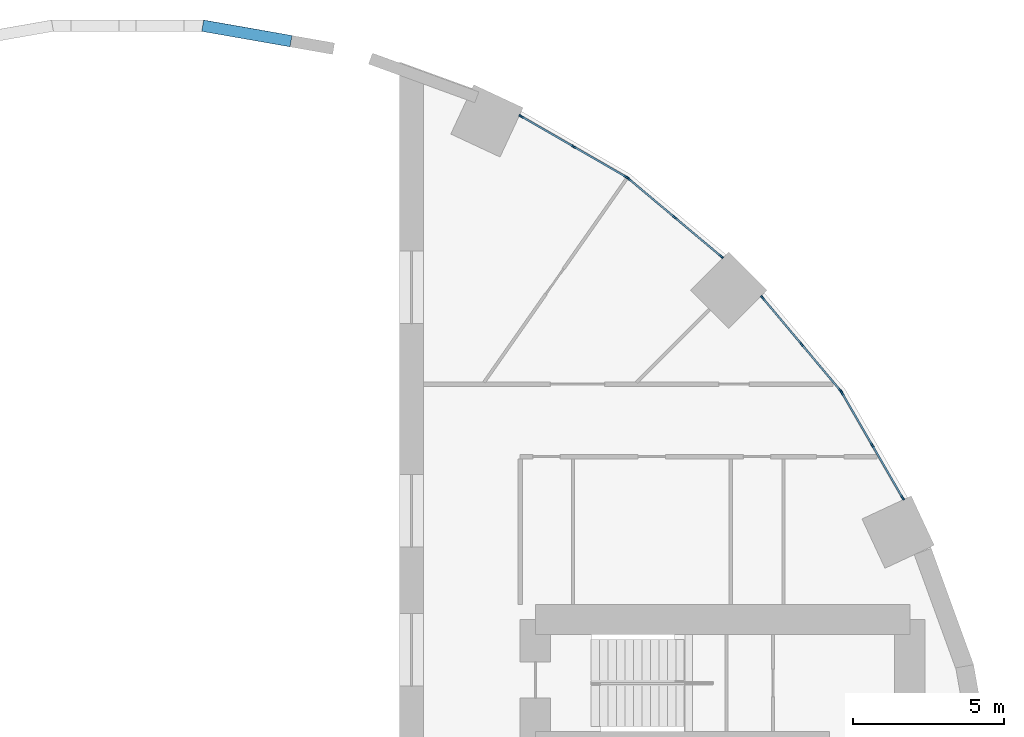
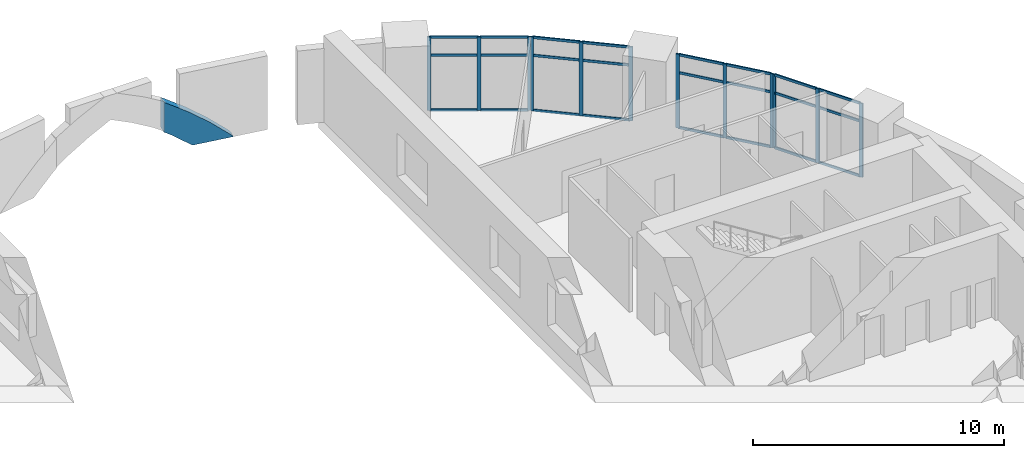
# One storey, part 7 of 15: 37 members, 4 elements without a shape of their own.
"""IFC4 building model written with IfcOpenShell, lengths in metres."""

import ifcopenshell
import ifcopenshell.guid

model = None  # the IFC model being written
_history = None  # IfcOwnerHistory: only IFC2X3 demands one
_inside = {}  # id of a spatial element -> (the spatial element, [elements in it])
_under = {}  # id of a project, library or spatial element -> (it, [spatial elements below it])
_declared = {}  # id of a project -> (the project, [libraries it declares])
_typed = {}  # id of a type object -> (the type object, [elements of that type])
_made_of = {}  # id of a material, layer set ... -> (it, [elements and type objects made of it])


def new_model(schema):
    """Start an empty IFC model of exactly this schema.

    Asked for "IFC4X3", IfcOpenShell would pick the latest addendum, in which some entities
    have other attributes; the version numbers below select the first issue.
    IFC2X3 requires an IfcOwnerHistory on every rooted entity: one is made here for all.
    """
    global model, _history
    if schema == "IFC4X3":
        model = ifcopenshell.file(schema_version=(4, 3, 0, 0))
    else:
        model = ifcopenshell.file(schema=schema)
    _inside.clear()
    _under.clear()
    _declared.clear()
    _typed.clear()
    _made_of.clear()
    _history = None
    if model.schema == "IFC2X3":
        org = make("IfcOrganization", Name="unknown")
        user = make(
            "IfcPersonAndOrganization",
            ThePerson=make("IfcPerson", FamilyName="unknown"),
            TheOrganization=org,
        )
        app = make(
            "IfcApplication",
            ApplicationDeveloper=org,
            Version="unknown",
            ApplicationFullName="unknown",
            ApplicationIdentifier="unknown",
        )
        _history = make(
            "IfcOwnerHistory",
            OwningUser=user,
            OwningApplication=app,
            ChangeAction="ADDED",
            CreationDate=0,
        )
    return model


def make(cls, **values):
    """One entity of the class cls with the attributes given. An attribute that is None is left unset."""
    return model.create_entity(
        cls, **{name: value for name, value in values.items() if value is not None}
    )


def rooted(cls, **values):
    """An entity with a GlobalId (a new one), such as an element, a storey or a relation."""
    return make(cls, GlobalId=ifcopenshell.guid.new(), OwnerHistory=_history, **values)


def si_unit(unit_type, name, prefix=None):
    """IfcSIUnit, for example si_unit("LENGTHUNIT", "METRE", prefix="MILLI")."""
    return make("IfcSIUnit", UnitType=unit_type, Prefix=prefix, Name=name)


def assignment(units):
    """IfcUnitAssignment: the units of a project."""
    return None if units is None else make("IfcUnitAssignment", Units=units)


def point(xyz):
    """IfcCartesianPoint."""
    return None if xyz is None else make("IfcCartesianPoint", Coordinates=xyz)


def direction(xyz):
    """IfcDirection."""
    return None if xyz is None else make("IfcDirection", DirectionRatios=xyz)


def frame(location, z_axis=None, x_axis=None):
    """IfcAxis2Placement3D, a coordinate frame: its origin and axes. An axis left out is left unset."""
    return make(
        "IfcAxis2Placement3D",
        Location=point(location),
        Axis=direction(z_axis),
        RefDirection=direction(x_axis),
    )


def frame_2d(location, x_axis=None):
    """IfcAxis2Placement2D, a coordinate frame in the plane: its origin and x axis."""
    return make(
        "IfcAxis2Placement2D", Location=point(location), RefDirection=direction(x_axis)
    )


def origin():
    """The frame at (0, 0, 0) with its axes left unset."""
    return frame((0.0, 0.0, 0.0))


def origin_2d():
    """The frame at (0, 0) in the plane with its x axis left unset."""
    return frame_2d((0.0, 0.0))


def place(relative_to, where):
    """IfcLocalPlacement: puts the frame where relative to a parent placement (None: the world)."""
    return make(
        "IfcLocalPlacement", PlacementRelTo=relative_to, RelativePlacement=where
    )


def context(
    kind, dimensions, precision=None, world=None, true_north=None, identifier=None
):
    """IfcGeometricRepresentationContext, for example the 3D "Model" context."""
    return make(
        "IfcGeometricRepresentationContext",
        ContextIdentifier=identifier,
        ContextType=kind,
        CoordinateSpaceDimension=dimensions,
        Precision=precision,
        WorldCoordinateSystem=world,
        TrueNorth=true_north,
    )


def subcontext(parent, identifier, kind, view, scale=None):
    """IfcGeometricRepresentationSubContext, for example "Body" below "Model"."""
    return make(
        "IfcGeometricRepresentationSubContext",
        ContextIdentifier=identifier,
        ContextType=kind,
        ParentContext=parent,
        TargetScale=scale,
        TargetView=view,
    )


def project(units=None, contexts=None):
    """IfcProject with its units and contexts."""
    return rooted(
        "IfcProject",
        Name="project",
        RepresentationContexts=contexts,
        UnitsInContext=assignment(units),
    )


def spatial(cls, under=None, at=None, **own):
    """A site, building, storey or space (cls), placed at a placement, below another one or the project."""
    s = rooted(cls, ObjectPlacement=at, **own)
    if under is not None:
        _under.setdefault(under.id(), (under, []))[1].append(s)
    return s


def polyline(points):
    """IfcPolyline through the points."""
    return make("IfcPolyline", Points=[point(p) for p in points])


def profile(cls, at=None, kind="AREA", **sizes):
    """A parametric profile (cls). Its sizes go by their IFC names, for example OverallWidth=200.0."""
    return make(cls, ProfileType=kind, Position=at, **sizes)


def rectangle(**sizes):
    """IfcRectangleProfileDef."""
    return profile("IfcRectangleProfileDef", **sizes)


def hollow_rectangle(**sizes):
    """IfcRectangleHollowProfileDef."""
    return profile("IfcRectangleHollowProfileDef", **sizes)


def outline(outer, holes=None, kind="AREA"):
    """IfcArbitraryClosedProfileDef: a profile drawn as a closed curve; with holes, ...WithVoids."""
    if holes is None:
        return make("IfcArbitraryClosedProfileDef", ProfileType=kind, OuterCurve=outer)
    return make(
        "IfcArbitraryProfileDefWithVoids",
        ProfileType=kind,
        OuterCurve=outer,
        InnerCurves=holes,
    )


def extrude(swept, where, along, depth):
    """IfcExtrudedAreaSolid: the profile swept, set in the frame where, extruded along a direction by depth."""
    return make(
        "IfcExtrudedAreaSolid",
        SweptArea=swept,
        Position=where,
        ExtrudedDirection=direction(along),
        Depth=depth,
    )


def shape(context_of_items, identifier, shape_type, items):
    """IfcShapeRepresentation: the items that make up one representation, for example the "Body"."""
    return make(
        "IfcShapeRepresentation",
        ContextOfItems=context_of_items,
        RepresentationIdentifier=identifier,
        RepresentationType=shape_type,
        Items=items,
    )


def material(Name=None, Category=None):
    """IfcMaterial."""
    return make("IfcMaterial", Name=Name, Category=Category)


def layer(
    of_material, thickness, ventilated=None, Name=None, Category=None, Priority=None
):
    """IfcMaterialLayer: one layer of a wall or slab, of a material (None: an air gap)."""
    return make(
        "IfcMaterialLayer",
        Material=of_material,
        LayerThickness=thickness,
        IsVentilated=ventilated,
        Name=Name,
        Category=Category,
        Priority=Priority,
    )


def layer_set(layers, Name=None):
    """IfcMaterialLayerSet."""
    return make("IfcMaterialLayerSet", MaterialLayers=layers, LayerSetName=Name)


def material_profile(
    of_material, cross_section, Name=None, Category=None, Priority=None
):
    """IfcMaterialProfile: a cross section and its material."""
    return make(
        "IfcMaterialProfile",
        Name=Name,
        Material=of_material,
        Profile=cross_section,
        Priority=Priority,
        Category=Category,
    )


def profile_set(profiles, Name=None, composite=None):
    """IfcMaterialProfileSet."""
    return make(
        "IfcMaterialProfileSet",
        Name=Name,
        MaterialProfiles=profiles,
        CompositeProfile=composite,
    )


def made_of(thing, what):
    """Note that an element or type object is made of a material, layer set ...; save() writes the relation."""
    if what is not None:
        _made_of.setdefault(what.id(), (what, []))[1].append(thing)
    return thing


def type_object(cls, material=None, **own):
    """A type object (cls), such as IfcWallType, which elements share."""
    return made_of(rooted(cls, **own), material)


def element(
    cls,
    number,
    at=None,
    inside=None,
    cuts=None,
    type_object=None,
    material=None,
    context=None,
    identifier="Body",
    shape_type=None,
    held_by="IfcProductDefinitionShape",
    body=None,
    shapes=None,
    **own,
):
    """One element of the class cls, such as IfcWall. Its Tag is "e" and its number.

    at: its placement. inside: the storey or other place that contains it. cuts: it is an
    opening in that element (IfcRelVoidsElement). A single representation is given by context,
    identifier, shape_type and body (its items); several are given by shapes. held_by: the class
    of the entity that holds the representations. save() writes the other relations.
    """
    e = rooted(cls, Tag="e%d" % number, ObjectPlacement=at, **own)
    if body is not None:
        shapes = [shape(context, identifier, shape_type, body)]
    if shapes is not None:
        e.Representation = make(held_by, Representations=shapes)
    if inside is not None:
        _inside.setdefault(inside.id(), (inside, []))[1].append(e)
    if cuts is not None:
        rooted(
            "IfcRelVoidsElement", RelatingBuildingElement=cuts, RelatedOpeningElement=e
        )
    if type_object is not None:
        _typed.setdefault(type_object.id(), (type_object, []))[1].append(e)
    return made_of(e, material)


def aggregate(whole, parts):
    """IfcRelAggregates: a whole, such as a stair, and the parts it consists of."""
    return rooted("IfcRelAggregates", RelatingObject=whole, RelatedObjects=parts)


def save(model, path):
    """Write the relations noted so far, then the file.

    IfcRelAggregates (storeys below a building ...), IfcRelContainedInSpatialStructure (elements
    in a storey), IfcRelDefinesByType, IfcRelAssociatesMaterial and IfcRelDeclares: one each for
    every whole, place, type object, material and project.
    """
    for whole, parts in _under.values():
        aggregate(whole, parts)
    for where, things in _inside.values():
        rooted(
            "IfcRelContainedInSpatialStructure",
            RelatedElements=things,
            RelatingStructure=where,
        )
    for kind, things in _typed.values():
        rooted("IfcRelDefinesByType", RelatedObjects=things, RelatingType=kind)
    for what, things in _made_of.values():
        rooted("IfcRelAssociatesMaterial", RelatedObjects=things, RelatingMaterial=what)
    for by, libraries in _declared.values():
        rooted("IfcRelDeclares", RelatingContext=by, RelatedDefinitions=libraries)
    model.write(path)


model = new_model("IFC4")

# Units and contexts
model_context = context("Model", 3, precision=1e-05, world=origin(), true_north=direction((0.0, 1.0)))
body_context = subcontext(model_context, "Body", "Model", "MODEL_VIEW")
ifc_project = project(units=[si_unit("LENGTHUNIT", "METRE"), si_unit("AREAUNIT", "SQUARE_METRE"), si_unit("VOLUMEUNIT", "CUBIC_METRE"), si_unit("PLANEANGLEUNIT", "RADIAN"), si_unit("MASSUNIT", "GRAM", prefix="KILO")], contexts=[model_context])

# Site, building, storey
site_placement = place(None, origin())
site = spatial("IfcSite", under=ifc_project, at=site_placement, CompositionType="ELEMENT")
building_placement = place(site_placement, origin())
building = spatial("IfcBuilding", under=site, at=building_placement, Name="Saqina Gate Tower", CompositionType="ELEMENT")
storey_placement = place(building_placement, frame((0.0, 0.0, 17.60009765625)))
storey = spatial("IfcBuildingStorey", under=building, at=storey_placement, Name="L04", CompositionType="ELEMENT", Elevation=17.60009765625)

# Curtain wall, members
ifc_material_1 = material(Name="Aluminium glazing", Category="aluminium")
ifc_layer = layer(ifc_material_1, 0.159912109375)
ifc_layer_set = layer_set([ifc_layer], Name="CWT-1")
curtain_wall_type = type_object("IfcCurtainWallType", Name="CWT-1", PredefinedType="NOTDEFINED", material=ifc_layer_set)
curtain_wall_1_placement = place(storey_placement, origin())
curtain_wall_1 = element("IfcCurtainWall", 1, at=curtain_wall_1_placement, inside=storey, type_object=curtain_wall_type, Name="Podium shopfront facet 3", PredefinedType="NOTDEFINED")
ifc_material_2 = material(Name="Aluminium", Category="aluminium")
ifc_material_profile_1 = material_profile(ifc_material_2, rectangle(XDim=0.06005859375, YDim=0.159912109375, at=origin_2d()), Name="Aluminium 60x160")
ifc_profile_set_1 = profile_set([ifc_material_profile_1], Name="Aluminium")
member_type_1 = type_object("IfcMemberType", Name="CWT-1M", PredefinedType="MULLION", material=ifc_profile_set_1)
member_1_placement = place(storey_placement, frame((25.66015625, 13.03466796875, 0.0), z_axis=(0.0, 0.0, 1.0), x_axis=(-0.866017381415, -0.500013894893, 0.0)))
member_1 = element("IfcMember", 2, at=member_1_placement, type_object=member_type_1, Name="CW1-03 mullion 1", PredefinedType="MULLION", context=body_context, shape_type="SweptSolid", body=[
    extrude(rectangle(XDim=0.06005859375, YDim=0.159912109375, at=origin_2d()), origin(), (0.0, 0.0, 1.0), 3.599853515625),
])
member_2_placement = place(storey_placement, frame((24.65771484375, 14.770751953125, 0.0), z_axis=(0.0, 0.0, 1.0), x_axis=(-0.866017381415, -0.500013894893, 0.0)))
member_2 = element("IfcMember", 3, at=member_2_placement, type_object=member_type_1, Name="CW1-03 mullion 2", PredefinedType="MULLION", context=body_context, shape_type="SweptSolid", body=[
    extrude(rectangle(XDim=0.06005859375, YDim=0.159912109375, at=origin_2d()), origin(), (0.0, 0.0, 1.0), 3.599853515625),
])
member_3_placement = place(storey_placement, frame((23.655517578125, 16.5068359375, 0.0), z_axis=(0.0, 0.0, 1.0), x_axis=(-0.866017381415, -0.500013894893, 0.0)))
member_3 = element("IfcMember", 4, at=member_3_placement, type_object=member_type_1, Name="CW1-03 mullion 3", PredefinedType="MULLION", context=body_context, shape_type="SweptSolid", body=[
    extrude(rectangle(XDim=0.06005859375, YDim=0.159912109375, at=origin_2d()), origin(), (0.0, 0.0, 1.0), 3.599853515625),
])

curtain_wall_2_placement = place(storey_placement, origin())
curtain_wall_2 = element("IfcCurtainWall", 5, at=curtain_wall_2_placement, inside=storey, type_object=curtain_wall_type, Name="Podium shopfront facet 4", PredefinedType="NOTDEFINED")
member_4_placement = place(storey_placement, frame((23.601806640625, 16.583251953125, 0.0), z_axis=(0.0, 0.0, 1.0), x_axis=(-0.766051396473, -0.642779322911, 0.0)))
member_4 = element("IfcMember", 6, at=member_4_placement, type_object=member_type_1, Name="CW1-04 mullion 1", PredefinedType="MULLION", context=body_context, shape_type="SweptSolid", body=[
    extrude(rectangle(XDim=0.06005859375, YDim=0.159912109375, at=origin_2d()), origin(), (0.0, 0.0, 1.0), 3.599853515625),
])
member_5_placement = place(storey_placement, frame((22.3134765625, 18.118896484375, 0.0), z_axis=(0.0, 0.0, 1.0), x_axis=(-0.766051396473, -0.642779322911, 0.0)))
member_5 = element("IfcMember", 7, at=member_5_placement, type_object=member_type_1, Name="CW1-04 mullion 2", PredefinedType="MULLION", context=body_context, shape_type="SweptSolid", body=[
    extrude(rectangle(XDim=0.06005859375, YDim=0.159912109375, at=origin_2d()), origin(), (0.0, 0.0, 1.0), 3.599853515625),
])
member_6_placement = place(storey_placement, frame((21.02490234375, 19.654296875, 0.0), z_axis=(0.0, 0.0, 1.0), x_axis=(-0.766051396473, -0.642779322911, 0.0)))
member_6 = element("IfcMember", 8, at=member_6_placement, type_object=member_type_1, Name="CW1-04 mullion 3", PredefinedType="MULLION", context=body_context, shape_type="SweptSolid", body=[
    extrude(rectangle(XDim=0.06005859375, YDim=0.159912109375, at=origin_2d()), origin(), (0.0, 0.0, 1.0), 3.599853515625),
])

curtain_wall_3_placement = place(storey_placement, origin())
curtain_wall_3 = element("IfcCurtainWall", 9, at=curtain_wall_3_placement, inside=storey, type_object=curtain_wall_type, Name="Podium shopfront facet 5", PredefinedType="NOTDEFINED")
member_7_placement = place(storey_placement, frame((19.654296875, 21.02490234375, 0.0), z_axis=(0.0, 0.0, 1.0), x_axis=(-0.642779322911, -0.766051396473, 0.0)))
member_7 = element("IfcMember", 10, at=member_7_placement, type_object=member_type_1, Name="CW1-05 mullion 1", PredefinedType="MULLION", context=body_context, shape_type="SweptSolid", body=[
    extrude(rectangle(XDim=0.06005859375, YDim=0.159912109375, at=origin_2d()), origin(), (0.0, 0.0, 1.0), 3.599853515625),
])
member_8_placement = place(storey_placement, frame((18.118896484375, 22.3134765625, 0.0), z_axis=(0.0, 0.0, 1.0), x_axis=(-0.642779322911, -0.766051396473, 0.0)))
member_8 = element("IfcMember", 11, at=member_8_placement, type_object=member_type_1, Name="CW1-05 mullion 2", PredefinedType="MULLION", context=body_context, shape_type="SweptSolid", body=[
    extrude(rectangle(XDim=0.06005859375, YDim=0.159912109375, at=origin_2d()), origin(), (0.0, 0.0, 1.0), 3.599853515625),
])
member_9_placement = place(storey_placement, frame((16.583251953125, 23.601806640625, 0.0), z_axis=(0.0, 0.0, 1.0), x_axis=(-0.642779322911, -0.766051396473, 0.0)))
member_9 = element("IfcMember", 12, at=member_9_placement, type_object=member_type_1, Name="CW1-05 mullion 3", PredefinedType="MULLION", context=body_context, shape_type="SweptSolid", body=[
    extrude(rectangle(XDim=0.06005859375, YDim=0.159912109375, at=origin_2d()), origin(), (0.0, 0.0, 1.0), 3.599853515625),
])

curtain_wall_4_placement = place(storey_placement, origin())
curtain_wall_4 = element("IfcCurtainWall", 13, at=curtain_wall_4_placement, inside=storey, type_object=curtain_wall_type, Name="Podium shopfront facet 6", PredefinedType="NOTDEFINED")
member_10_placement = place(storey_placement, frame((16.5068359375, 23.655517578125, 0.0), z_axis=(0.0, 0.0, 1.0), x_axis=(-0.500013894893, -0.866017381415, 0.0)))
member_10 = element("IfcMember", 14, at=member_10_placement, type_object=member_type_1, Name="CW1-06 mullion 1", PredefinedType="MULLION", context=body_context, shape_type="SweptSolid", body=[
    extrude(rectangle(XDim=0.06005859375, YDim=0.159912109375, at=origin_2d()), origin(), (0.0, 0.0, 1.0), 3.599853515625),
])
member_11_placement = place(storey_placement, frame((14.770751953125, 24.65771484375, 0.0), z_axis=(0.0, 0.0, 1.0), x_axis=(-0.500013894893, -0.866017381415, 0.0)))
member_11 = element("IfcMember", 15, at=member_11_placement, type_object=member_type_1, Name="CW1-06 mullion 2", PredefinedType="MULLION", context=body_context, shape_type="SweptSolid", body=[
    extrude(rectangle(XDim=0.06005859375, YDim=0.159912109375, at=origin_2d()), origin(), (0.0, 0.0, 1.0), 3.599853515625),
])
member_12_placement = place(storey_placement, frame((13.03466796875, 25.66015625, 0.0), z_axis=(0.0, 0.0, 1.0), x_axis=(-0.500013894893, -0.866017381415, 0.0)))
member_12 = element("IfcMember", 16, at=member_12_placement, type_object=member_type_1, Name="CW1-06 mullion 3", PredefinedType="MULLION", context=body_context, shape_type="SweptSolid", body=[
    extrude(rectangle(XDim=0.06005859375, YDim=0.159912109375, at=origin_2d()), origin(), (0.0, 0.0, 1.0), 3.599853515625),
])

# Member
ifc_material_3 = material(Name="Aluminium", Category="aluminium")
ifc_material_profile_2 = material_profile(ifc_material_3, rectangle(XDim=0.06005859375, YDim=0.1201171875, at=origin_2d()), Name="Aluminium 60x120")
ifc_profile_set_2 = profile_set([ifc_material_profile_2], Name="Aluminium")
member_type_2 = type_object("IfcMemberType", Name="CWT-1T", PredefinedType="USERDEFINED", material=ifc_profile_set_2)
member_13_placement = place(storey_placement, frame((25.64501953125, 13.060791015625, 0.02978515625), z_axis=(-0.499947064232, 0.866055964107, 0.0), x_axis=(-0.866055964107, -0.499947064232, 0.0)))
member_13 = element("IfcMember", 17, at=member_13_placement, type_object=member_type_2, Name="CW1-03 transom 1.1", ObjectType="TRANSOM", PredefinedType="USERDEFINED", context=body_context, shape_type="SweptSolid", body=[
    extrude(rectangle(XDim=0.06005859375, YDim=0.1201171875, at=origin_2d()), origin(), (0.0, 0.0, 1.0), 1.944580078125),
])

member_14_placement = place(storey_placement, frame((25.64501953125, 13.060791015625, 2.699951171875), z_axis=(-0.499947064232, 0.866055964107, 0.0), x_axis=(-0.866055964107, -0.499947064232, 0.0)))
member_14 = element("IfcMember", 18, at=member_14_placement, type_object=member_type_2, Name="CW1-03 transom 1.2", ObjectType="TRANSOM", PredefinedType="USERDEFINED", context=body_context, shape_type="SweptSolid", body=[
    extrude(rectangle(XDim=0.06005859375, YDim=0.1201171875, at=origin_2d()), origin(), (0.0, 0.0, 1.0), 1.944580078125),
])

member_15_placement = place(storey_placement, frame((25.64501953125, 13.060791015625, 3.56982421875), z_axis=(-0.499947064232, 0.866055964107, 0.0), x_axis=(-0.866055964107, -0.499947064232, 0.0)))
member_15 = element("IfcMember", 19, at=member_15_placement, type_object=member_type_2, Name="CW1-03 transom 1.3", ObjectType="TRANSOM", PredefinedType="USERDEFINED", context=body_context, shape_type="SweptSolid", body=[
    extrude(rectangle(XDim=0.06005859375, YDim=0.1201171875, at=origin_2d()), origin(), (0.0, 0.0, 1.0), 1.944580078125),
])

member_16_placement = place(storey_placement, frame((24.642822265625, 14.796630859375, 0.02978515625), z_axis=(-0.500041225824, 0.866001600736, 0.0), x_axis=(-0.866001600736, -0.500041225824, 0.0)))
member_16 = element("IfcMember", 20, at=member_16_placement, type_object=member_type_2, Name="CW1-03 transom 2.1", ObjectType="TRANSOM", PredefinedType="USERDEFINED", context=body_context, shape_type="SweptSolid", body=[
    extrude(rectangle(XDim=0.06005859375, YDim=0.1201171875, at=origin_2d()), origin(), (0.0, 0.0, 1.0), 1.944580078125),
])

member_17_placement = place(storey_placement, frame((24.642822265625, 14.796630859375, 2.699951171875), z_axis=(-0.500041225824, 0.866001600736, 0.0), x_axis=(-0.866001600736, -0.500041225824, 0.0)))
member_17 = element("IfcMember", 21, at=member_17_placement, type_object=member_type_2, Name="CW1-03 transom 2.2", ObjectType="TRANSOM", PredefinedType="USERDEFINED", context=body_context, shape_type="SweptSolid", body=[
    extrude(rectangle(XDim=0.06005859375, YDim=0.1201171875, at=origin_2d()), origin(), (0.0, 0.0, 1.0), 1.944580078125),
])

member_18_placement = place(storey_placement, frame((24.642822265625, 14.796630859375, 3.56982421875), z_axis=(-0.500041225824, 0.866001600736, 0.0), x_axis=(-0.866001600736, -0.500041225824, 0.0)))
member_18 = element("IfcMember", 22, at=member_18_placement, type_object=member_type_2, Name="CW1-03 transom 2.3", ObjectType="TRANSOM", PredefinedType="USERDEFINED", context=body_context, shape_type="SweptSolid", body=[
    extrude(rectangle(XDim=0.06005859375, YDim=0.1201171875, at=origin_2d()), origin(), (0.0, 0.0, 1.0), 1.944580078125),
])

aggregate(curtain_wall_1, [member_1, member_2, member_3, member_13, member_14, member_15, member_16, member_17, member_18])

member_19_placement = place(storey_placement, frame((23.58251953125, 16.606201171875, 0.02978515625), z_axis=(-0.642700228444, 0.766117756196, 0.0), x_axis=(-0.766117756196, -0.642700228444, 0.0)))
member_19 = element("IfcMember", 23, at=member_19_placement, type_object=member_type_2, Name="CW1-04 transom 1.1", ObjectType="TRANSOM", PredefinedType="USERDEFINED", context=body_context, shape_type="SweptSolid", body=[
    extrude(rectangle(XDim=0.06005859375, YDim=0.1201171875, at=origin_2d()), origin(), (0.0, 0.0, 1.0), 1.944580078125),
])

member_20_placement = place(storey_placement, frame((23.58251953125, 16.606201171875, 2.699951171875), z_axis=(-0.642700228444, 0.766117756196, 0.0), x_axis=(-0.766117756196, -0.642700228444, 0.0)))
member_20 = element("IfcMember", 24, at=member_20_placement, type_object=member_type_2, Name="CW1-04 transom 1.2", ObjectType="TRANSOM", PredefinedType="USERDEFINED", context=body_context, shape_type="SweptSolid", body=[
    extrude(rectangle(XDim=0.06005859375, YDim=0.1201171875, at=origin_2d()), origin(), (0.0, 0.0, 1.0), 1.944580078125),
])

member_21_placement = place(storey_placement, frame((23.58251953125, 16.606201171875, 3.56982421875), z_axis=(-0.642700228444, 0.766117756196, 0.0), x_axis=(-0.766117756196, -0.642700228444, 0.0)))
member_21 = element("IfcMember", 25, at=member_21_placement, type_object=member_type_2, Name="CW1-04 transom 1.3", ObjectType="TRANSOM", PredefinedType="USERDEFINED", context=body_context, shape_type="SweptSolid", body=[
    extrude(rectangle(XDim=0.06005859375, YDim=0.1201171875, at=origin_2d()), origin(), (0.0, 0.0, 1.0), 1.944580078125),
])

member_22_placement = place(storey_placement, frame((22.294189453125, 18.141845703125, 0.02978515625), z_axis=(-0.642835731235, 0.76600406177, 0.0), x_axis=(-0.76600406177, -0.642835731235, 0.0)))
member_22 = element("IfcMember", 26, at=member_22_placement, type_object=member_type_2, Name="CW1-04 transom 2.1", ObjectType="TRANSOM", PredefinedType="USERDEFINED", context=body_context, shape_type="SweptSolid", body=[
    extrude(rectangle(XDim=0.06005859375, YDim=0.1201171875, at=origin_2d()), origin(), (0.0, 0.0, 1.0), 1.944580078125),
])

member_23_placement = place(storey_placement, frame((22.294189453125, 18.141845703125, 2.699951171875), z_axis=(-0.642835731235, 0.76600406177, 0.0), x_axis=(-0.76600406177, -0.642835731235, 0.0)))
member_23 = element("IfcMember", 27, at=member_23_placement, type_object=member_type_2, Name="CW1-04 transom 2.2", ObjectType="TRANSOM", PredefinedType="USERDEFINED", context=body_context, shape_type="SweptSolid", body=[
    extrude(rectangle(XDim=0.06005859375, YDim=0.1201171875, at=origin_2d()), origin(), (0.0, 0.0, 1.0), 1.944580078125),
])

member_24_placement = place(storey_placement, frame((22.294189453125, 18.141845703125, 3.56982421875), z_axis=(-0.642835731235, 0.76600406177, 0.0), x_axis=(-0.76600406177, -0.642835731235, 0.0)))
member_24 = element("IfcMember", 28, at=member_24_placement, type_object=member_type_2, Name="CW1-04 transom 2.3", ObjectType="TRANSOM", PredefinedType="USERDEFINED", context=body_context, shape_type="SweptSolid", body=[
    extrude(rectangle(XDim=0.06005859375, YDim=0.1201171875, at=origin_2d()), origin(), (0.0, 0.0, 1.0), 1.944580078125),
])

aggregate(curtain_wall_2, [member_4, member_5, member_6, member_19, member_20, member_21, member_22, member_23, member_24])

member_25_placement = place(storey_placement, frame((19.63134765625, 21.044189453125, 0.02978515625), z_axis=(-0.76600406177, 0.642835731235, 0.0), x_axis=(-0.642835731235, -0.76600406177, 0.0)))
member_25 = element("IfcMember", 29, at=member_25_placement, type_object=member_type_2, Name="CW1-05 transom 1.1", ObjectType="TRANSOM", PredefinedType="USERDEFINED", context=body_context, shape_type="SweptSolid", body=[
    extrude(rectangle(XDim=0.06005859375, YDim=0.1201171875, at=origin_2d()), origin(), (0.0, 0.0, 1.0), 1.944580078125),
])

member_26_placement = place(storey_placement, frame((19.63134765625, 21.044189453125, 2.699951171875), z_axis=(-0.76600406177, 0.642835731235, 0.0), x_axis=(-0.642835731235, -0.76600406177, 0.0)))
member_26 = element("IfcMember", 30, at=member_26_placement, type_object=member_type_2, Name="CW1-05 transom 1.2", ObjectType="TRANSOM", PredefinedType="USERDEFINED", context=body_context, shape_type="SweptSolid", body=[
    extrude(rectangle(XDim=0.06005859375, YDim=0.1201171875, at=origin_2d()), origin(), (0.0, 0.0, 1.0), 1.944580078125),
])

member_27_placement = place(storey_placement, frame((19.63134765625, 21.044189453125, 3.56982421875), z_axis=(-0.76600406177, 0.642835731235, 0.0), x_axis=(-0.642835731235, -0.76600406177, 0.0)))
member_27 = element("IfcMember", 31, at=member_27_placement, type_object=member_type_2, Name="CW1-05 transom 1.3", ObjectType="TRANSOM", PredefinedType="USERDEFINED", context=body_context, shape_type="SweptSolid", body=[
    extrude(rectangle(XDim=0.06005859375, YDim=0.1201171875, at=origin_2d()), origin(), (0.0, 0.0, 1.0), 1.944580078125),
])

member_28_placement = place(storey_placement, frame((18.095947265625, 22.332763671875, 0.02978515625), z_axis=(-0.766117756196, 0.642700228444, 0.0), x_axis=(-0.642700228444, -0.766117756196, 0.0)))
member_28 = element("IfcMember", 32, at=member_28_placement, type_object=member_type_2, Name="CW1-05 transom 2.1", ObjectType="TRANSOM", PredefinedType="USERDEFINED", context=body_context, shape_type="SweptSolid", body=[
    extrude(rectangle(XDim=0.06005859375, YDim=0.1201171875, at=origin_2d()), origin(), (0.0, 0.0, 1.0), 1.944580078125),
])

member_29_placement = place(storey_placement, frame((18.095947265625, 22.332763671875, 2.699951171875), z_axis=(-0.766117756196, 0.642700228444, 0.0), x_axis=(-0.642700228444, -0.766117756196, 0.0)))
member_29 = element("IfcMember", 33, at=member_29_placement, type_object=member_type_2, Name="CW1-05 transom 2.2", ObjectType="TRANSOM", PredefinedType="USERDEFINED", context=body_context, shape_type="SweptSolid", body=[
    extrude(rectangle(XDim=0.06005859375, YDim=0.1201171875, at=origin_2d()), origin(), (0.0, 0.0, 1.0), 1.944580078125),
])

member_30_placement = place(storey_placement, frame((18.095947265625, 22.332763671875, 3.56982421875), z_axis=(-0.766117756196, 0.642700228444, 0.0), x_axis=(-0.642700228444, -0.766117756196, 0.0)))
member_30 = element("IfcMember", 34, at=member_30_placement, type_object=member_type_2, Name="CW1-05 transom 2.3", ObjectType="TRANSOM", PredefinedType="USERDEFINED", context=body_context, shape_type="SweptSolid", body=[
    extrude(rectangle(XDim=0.06005859375, YDim=0.1201171875, at=origin_2d()), origin(), (0.0, 0.0, 1.0), 1.944580078125),
])

aggregate(curtain_wall_3, [member_7, member_8, member_9, member_25, member_26, member_27, member_28, member_29, member_30])

member_31_placement = place(storey_placement, frame((16.480712890625, 23.67041015625, 0.02978515625), z_axis=(-0.866001600736, 0.500041225824, 0.0), x_axis=(-0.500041225824, -0.866001600736, 0.0)))
member_31 = element("IfcMember", 35, at=member_31_placement, type_object=member_type_2, Name="CW1-06 transom 1.1", ObjectType="TRANSOM", PredefinedType="USERDEFINED", context=body_context, shape_type="SweptSolid", body=[
    extrude(rectangle(XDim=0.06005859375, YDim=0.1201171875, at=origin_2d()), origin(), (0.0, 0.0, 1.0), 1.944580078125),
])

member_32_placement = place(storey_placement, frame((16.480712890625, 23.67041015625, 2.699951171875), z_axis=(-0.866001600736, 0.500041225824, 0.0), x_axis=(-0.500041225824, -0.866001600736, 0.0)))
member_32 = element("IfcMember", 36, at=member_32_placement, type_object=member_type_2, Name="CW1-06 transom 1.2", ObjectType="TRANSOM", PredefinedType="USERDEFINED", context=body_context, shape_type="SweptSolid", body=[
    extrude(rectangle(XDim=0.06005859375, YDim=0.1201171875, at=origin_2d()), origin(), (0.0, 0.0, 1.0), 1.944580078125),
])

member_33_placement = place(storey_placement, frame((16.480712890625, 23.67041015625, 3.56982421875), z_axis=(-0.866001600736, 0.500041225824, 0.0), x_axis=(-0.500041225824, -0.866001600736, 0.0)))
member_33 = element("IfcMember", 37, at=member_33_placement, type_object=member_type_2, Name="CW1-06 transom 1.3", ObjectType="TRANSOM", PredefinedType="USERDEFINED", context=body_context, shape_type="SweptSolid", body=[
    extrude(rectangle(XDim=0.06005859375, YDim=0.1201171875, at=origin_2d()), origin(), (0.0, 0.0, 1.0), 1.944580078125),
])

member_34_placement = place(storey_placement, frame((14.744873046875, 24.6728515625, 0.02978515625), z_axis=(-0.866055964107, 0.499947064232, 0.0), x_axis=(-0.499947064232, -0.866055964107, 0.0)))
member_34 = element("IfcMember", 38, at=member_34_placement, type_object=member_type_2, Name="CW1-06 transom 2.1", ObjectType="TRANSOM", PredefinedType="USERDEFINED", context=body_context, shape_type="SweptSolid", body=[
    extrude(rectangle(XDim=0.06005859375, YDim=0.1201171875, at=origin_2d()), origin(), (0.0, 0.0, 1.0), 1.944580078125),
])

member_35_placement = place(storey_placement, frame((14.744873046875, 24.6728515625, 2.699951171875), z_axis=(-0.866055964107, 0.499947064232, 0.0), x_axis=(-0.499947064232, -0.866055964107, 0.0)))
member_35 = element("IfcMember", 39, at=member_35_placement, type_object=member_type_2, Name="CW1-06 transom 2.2", ObjectType="TRANSOM", PredefinedType="USERDEFINED", context=body_context, shape_type="SweptSolid", body=[
    extrude(rectangle(XDim=0.06005859375, YDim=0.1201171875, at=origin_2d()), origin(), (0.0, 0.0, 1.0), 1.944580078125),
])

member_36_placement = place(storey_placement, frame((14.744873046875, 24.6728515625, 3.56982421875), z_axis=(-0.866055964107, 0.499947064232, 0.0), x_axis=(-0.499947064232, -0.866055964107, 0.0)))
member_36 = element("IfcMember", 40, at=member_36_placement, type_object=member_type_2, Name="CW1-06 transom 2.3", ObjectType="TRANSOM", PredefinedType="USERDEFINED", context=body_context, shape_type="SweptSolid", body=[
    extrude(rectangle(XDim=0.06005859375, YDim=0.1201171875, at=origin_2d()), origin(), (0.0, 0.0, 1.0), 1.944580078125),
])

aggregate(curtain_wall_4, [member_10, member_11, member_12, member_31, member_32, member_33, member_34, member_35, member_36])

ifc_material_4 = material(Name="Steel S355", Category="steel")
ifc_material_profile_3 = material_profile(ifc_material_4, hollow_rectangle(XDim=1.199951171875, YDim=0.3798828125, WallThickness=0.030029296875, at=origin_2d()), Name="BOX 1200x380x30")
ifc_profile_set_3 = profile_set([ifc_material_profile_3], Name="Steel S355")
member_type_3 = type_object("IfcMemberType", Name="STR-ARCH RIB-BOX 1200x380x30", PredefinedType="USERDEFINED", material=ifc_profile_set_3)
member_37_placement = place(storey_placement, frame((2.52099609375, 28.85302734375, 0.931640625), z_axis=(0.173624877062, 0.984809886159, 0.001972356316), x_axis=(0.813463940403, -0.142286631596, -0.563942312771)))
element("IfcMember", 41, at=member_37_placement, inside=storey, type_object=member_type_3, Name="ARCH RIB N L04 facet 8", ObjectType="ARCH RIB", PredefinedType="USERDEFINED", context=body_context, shape_type="SweptSolid", body=[
    extrude(outline(polyline([(0.0, 0.0), (0.3727423692217704, -5.551115123125783e-17), (1.4791039622036894, 0.07935128362839805), (1.5262097943082011, 0.08591130368124933), (2.9760798208700585, -0.9041971292877036), (2.7887768253416274, -0.9450974426520226), (1.6072857764133097, -1.114753400280137), (0.41589572596462443, -1.199896361735033), (-0.7795187067650671, -1.2004001160396678), (-0.817841580271216, -1.1975846640033412), (0.0, 0.0)])), origin(), (0.0, 0.0, -1.0), 0.3798828125),
])

save(model, "model.ifc")
